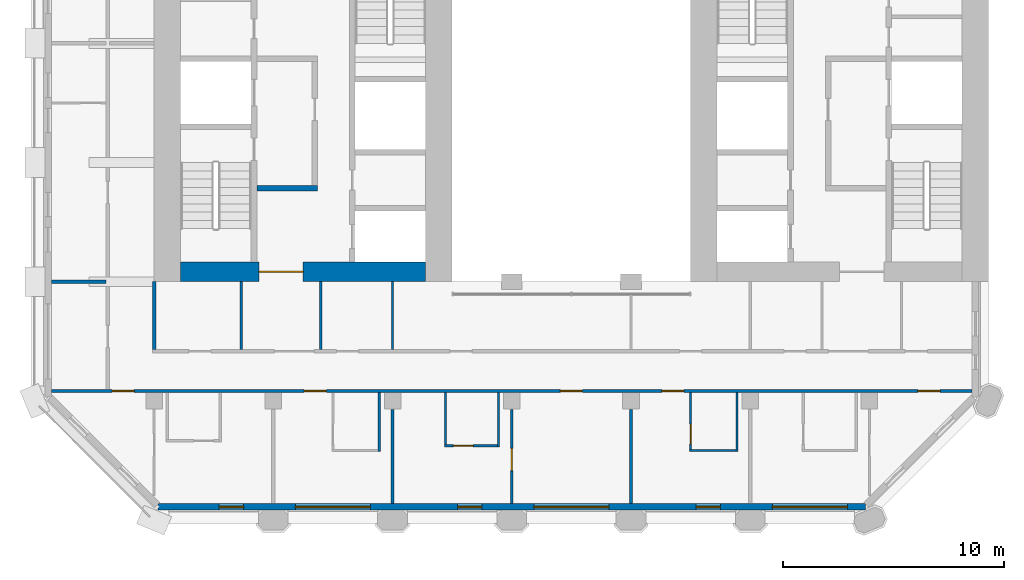
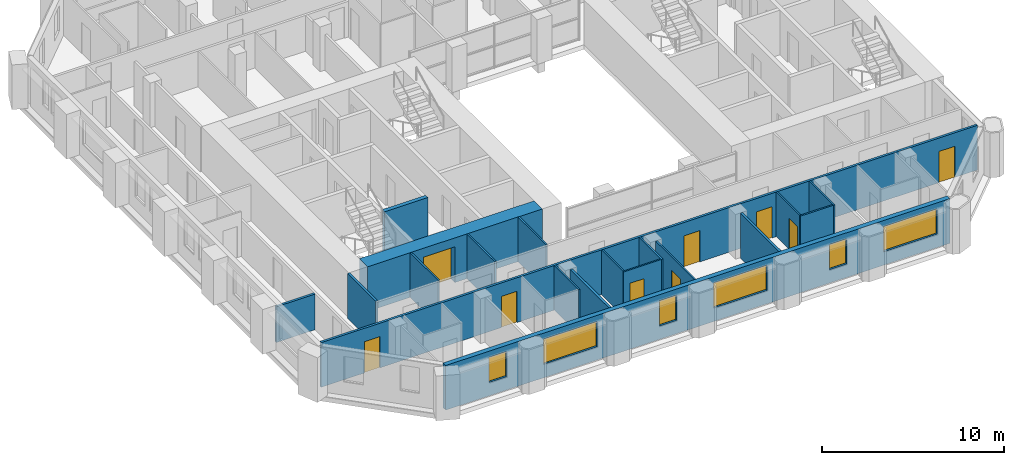
# One storey, part 6 of 14: 19 walls, 9 doors, 6 windows, 15 openings.
"""IFC4 building model written with IfcOpenShell, lengths in metres."""

import ifcopenshell
import ifcopenshell.guid

model = None  # the IFC model being written
_history = None  # IfcOwnerHistory: only IFC2X3 demands one
_inside = {}  # id of a spatial element -> (the spatial element, [elements in it])
_under = {}  # id of a project, library or spatial element -> (it, [spatial elements below it])
_declared = {}  # id of a project -> (the project, [libraries it declares])
_typed = {}  # id of a type object -> (the type object, [elements of that type])
_made_of = {}  # id of a material, layer set ... -> (it, [elements and type objects made of it])


def new_model(schema):
    """Start an empty IFC model of exactly this schema.

    Asked for "IFC4X3", IfcOpenShell would pick the latest addendum, in which some entities
    have other attributes; the version numbers below select the first issue.
    IFC2X3 requires an IfcOwnerHistory on every rooted entity: one is made here for all.
    """
    global model, _history
    if schema == "IFC4X3":
        model = ifcopenshell.file(schema_version=(4, 3, 0, 0))
    else:
        model = ifcopenshell.file(schema=schema)
    _inside.clear()
    _under.clear()
    _declared.clear()
    _typed.clear()
    _made_of.clear()
    _history = None
    if model.schema == "IFC2X3":
        org = make("IfcOrganization", Name="unknown")
        user = make(
            "IfcPersonAndOrganization",
            ThePerson=make("IfcPerson", FamilyName="unknown"),
            TheOrganization=org,
        )
        app = make(
            "IfcApplication",
            ApplicationDeveloper=org,
            Version="unknown",
            ApplicationFullName="unknown",
            ApplicationIdentifier="unknown",
        )
        _history = make(
            "IfcOwnerHistory",
            OwningUser=user,
            OwningApplication=app,
            ChangeAction="ADDED",
            CreationDate=0,
        )
    return model


def make(cls, **values):
    """One entity of the class cls with the attributes given. An attribute that is None is left unset."""
    return model.create_entity(
        cls, **{name: value for name, value in values.items() if value is not None}
    )


def rooted(cls, **values):
    """An entity with a GlobalId (a new one), such as an element, a storey or a relation."""
    return make(cls, GlobalId=ifcopenshell.guid.new(), OwnerHistory=_history, **values)


def si_unit(unit_type, name, prefix=None):
    """IfcSIUnit, for example si_unit("LENGTHUNIT", "METRE", prefix="MILLI")."""
    return make("IfcSIUnit", UnitType=unit_type, Prefix=prefix, Name=name)


def assignment(units):
    """IfcUnitAssignment: the units of a project."""
    return None if units is None else make("IfcUnitAssignment", Units=units)


def point(xyz):
    """IfcCartesianPoint."""
    return None if xyz is None else make("IfcCartesianPoint", Coordinates=xyz)


def direction(xyz):
    """IfcDirection."""
    return None if xyz is None else make("IfcDirection", DirectionRatios=xyz)


def frame(location, z_axis=None, x_axis=None):
    """IfcAxis2Placement3D, a coordinate frame: its origin and axes. An axis left out is left unset."""
    return make(
        "IfcAxis2Placement3D",
        Location=point(location),
        Axis=direction(z_axis),
        RefDirection=direction(x_axis),
    )


def frame_2d(location, x_axis=None):
    """IfcAxis2Placement2D, a coordinate frame in the plane: its origin and x axis."""
    return make(
        "IfcAxis2Placement2D", Location=point(location), RefDirection=direction(x_axis)
    )


def origin():
    """The frame at (0, 0, 0) with its axes left unset."""
    return frame((0.0, 0.0, 0.0))


def place(relative_to, where):
    """IfcLocalPlacement: puts the frame where relative to a parent placement (None: the world)."""
    return make(
        "IfcLocalPlacement", PlacementRelTo=relative_to, RelativePlacement=where
    )


def context(
    kind, dimensions, precision=None, world=None, true_north=None, identifier=None
):
    """IfcGeometricRepresentationContext, for example the 3D "Model" context."""
    return make(
        "IfcGeometricRepresentationContext",
        ContextIdentifier=identifier,
        ContextType=kind,
        CoordinateSpaceDimension=dimensions,
        Precision=precision,
        WorldCoordinateSystem=world,
        TrueNorth=true_north,
    )


def subcontext(parent, identifier, kind, view, scale=None):
    """IfcGeometricRepresentationSubContext, for example "Body" below "Model"."""
    return make(
        "IfcGeometricRepresentationSubContext",
        ContextIdentifier=identifier,
        ContextType=kind,
        ParentContext=parent,
        TargetScale=scale,
        TargetView=view,
    )


def project(units=None, contexts=None):
    """IfcProject with its units and contexts."""
    return rooted(
        "IfcProject",
        Name="project",
        RepresentationContexts=contexts,
        UnitsInContext=assignment(units),
    )


def spatial(cls, under=None, at=None, **own):
    """A site, building, storey or space (cls), placed at a placement, below another one or the project."""
    s = rooted(cls, ObjectPlacement=at, **own)
    if under is not None:
        _under.setdefault(under.id(), (under, []))[1].append(s)
    return s


def profile(cls, at=None, kind="AREA", **sizes):
    """A parametric profile (cls). Its sizes go by their IFC names, for example OverallWidth=200.0."""
    return make(cls, ProfileType=kind, Position=at, **sizes)


def rectangle(**sizes):
    """IfcRectangleProfileDef."""
    return profile("IfcRectangleProfileDef", **sizes)


def extrude(swept, where, along, depth):
    """IfcExtrudedAreaSolid: the profile swept, set in the frame where, extruded along a direction by depth."""
    return make(
        "IfcExtrudedAreaSolid",
        SweptArea=swept,
        Position=where,
        ExtrudedDirection=direction(along),
        Depth=depth,
    )


def shape(context_of_items, identifier, shape_type, items):
    """IfcShapeRepresentation: the items that make up one representation, for example the "Body"."""
    return make(
        "IfcShapeRepresentation",
        ContextOfItems=context_of_items,
        RepresentationIdentifier=identifier,
        RepresentationType=shape_type,
        Items=items,
    )


def material(Name=None, Category=None):
    """IfcMaterial."""
    return make("IfcMaterial", Name=Name, Category=Category)


def layer(
    of_material, thickness, ventilated=None, Name=None, Category=None, Priority=None
):
    """IfcMaterialLayer: one layer of a wall or slab, of a material (None: an air gap)."""
    return make(
        "IfcMaterialLayer",
        Material=of_material,
        LayerThickness=thickness,
        IsVentilated=ventilated,
        Name=Name,
        Category=Category,
        Priority=Priority,
    )


def layer_set(layers, Name=None):
    """IfcMaterialLayerSet."""
    return make("IfcMaterialLayerSet", MaterialLayers=layers, LayerSetName=Name)


def made_of(thing, what):
    """Note that an element or type object is made of a material, layer set ...; save() writes the relation."""
    if what is not None:
        _made_of.setdefault(what.id(), (what, []))[1].append(thing)
    return thing


def type_object(cls, material=None, **own):
    """A type object (cls), such as IfcWallType, which elements share."""
    return made_of(rooted(cls, **own), material)


def element(
    cls,
    number,
    at=None,
    inside=None,
    cuts=None,
    type_object=None,
    material=None,
    context=None,
    identifier="Body",
    shape_type=None,
    held_by="IfcProductDefinitionShape",
    body=None,
    shapes=None,
    **own,
):
    """One element of the class cls, such as IfcWall. Its Tag is "e" and its number.

    at: its placement. inside: the storey or other place that contains it. cuts: it is an
    opening in that element (IfcRelVoidsElement). A single representation is given by context,
    identifier, shape_type and body (its items); several are given by shapes. held_by: the class
    of the entity that holds the representations. save() writes the other relations.
    """
    e = rooted(cls, Tag="e%d" % number, ObjectPlacement=at, **own)
    if body is not None:
        shapes = [shape(context, identifier, shape_type, body)]
    if shapes is not None:
        e.Representation = make(held_by, Representations=shapes)
    if inside is not None:
        _inside.setdefault(inside.id(), (inside, []))[1].append(e)
    if cuts is not None:
        rooted(
            "IfcRelVoidsElement", RelatingBuildingElement=cuts, RelatedOpeningElement=e
        )
    if type_object is not None:
        _typed.setdefault(type_object.id(), (type_object, []))[1].append(e)
    return made_of(e, material)


def fill(opening, filler):
    """IfcRelFillsElement: the door or window that sits in an opening."""
    return rooted(
        "IfcRelFillsElement",
        RelatingOpeningElement=opening,
        RelatedBuildingElement=filler,
    )


def aggregate(whole, parts):
    """IfcRelAggregates: a whole, such as a stair, and the parts it consists of."""
    return rooted("IfcRelAggregates", RelatingObject=whole, RelatedObjects=parts)


def save(model, path):
    """Write the relations noted so far, then the file.

    IfcRelAggregates (storeys below a building ...), IfcRelContainedInSpatialStructure (elements
    in a storey), IfcRelDefinesByType, IfcRelAssociatesMaterial and IfcRelDeclares: one each for
    every whole, place, type object, material and project.
    """
    for whole, parts in _under.values():
        aggregate(whole, parts)
    for where, things in _inside.values():
        rooted(
            "IfcRelContainedInSpatialStructure",
            RelatedElements=things,
            RelatingStructure=where,
        )
    for kind, things in _typed.values():
        rooted("IfcRelDefinesByType", RelatedObjects=things, RelatingType=kind)
    for what, things in _made_of.values():
        rooted("IfcRelAssociatesMaterial", RelatedObjects=things, RelatingMaterial=what)
    for by, libraries in _declared.values():
        rooted("IfcRelDeclares", RelatingContext=by, RelatedDefinitions=libraries)
    model.write(path)


model = new_model("IFC4")

# Units and contexts
model_context = context("Model", 3, precision=1e-05, world=origin(), true_north=direction((0.0, 1.0)))
body_context = subcontext(model_context, "Body", "Model", "MODEL_VIEW")
ifc_project = project(units=[si_unit("LENGTHUNIT", "METRE"), si_unit("AREAUNIT", "SQUARE_METRE"), si_unit("VOLUMEUNIT", "CUBIC_METRE"), si_unit("PLANEANGLEUNIT", "RADIAN"), si_unit("MASSUNIT", "GRAM", prefix="KILO")], contexts=[model_context])

# Site, building, storey
site_placement = place(None, origin())
site = spatial("IfcSite", under=ifc_project, at=site_placement, CompositionType="ELEMENT")
building_placement = place(site_placement, origin())
building = spatial("IfcBuilding", under=site, at=building_placement, Name="Tabaq Tower and Sports Hall", CompositionType="ELEMENT")
storey_placement = place(building_placement, frame((0.0, 0.0, 223.60009765625)))
storey = spatial("IfcBuildingStorey", under=building, at=storey_placement, Name="L56", CompositionType="ELEMENT", Elevation=223.60009765625)

# Wall, opening, door
ifc_material_1 = material(Name="Concrete C50/60", Category="concrete")
ifc_layer_1 = layer(ifc_material_1, 0.89990234375)
ifc_layer_set_1 = layer_set([ifc_layer_1], Name="Core wall 900 Concrete C50/60")
wall_type_1 = type_object("IfcWallType", Name="Core wall 900 Concrete C50/60", PredefinedType="SOLIDWALL", material=ifc_layer_set_1)
wall_1_placement = place(storey_placement, frame((17.699951171875, 16.64990234375, 0.0), z_axis=(0.0, 0.0, 1.0), x_axis=(-1.0, 0.0, 0.0)))
wall_1 = element("IfcWall", 1, at=wall_1_placement, inside=storey, type_object=wall_type_1, Name="Core wall W L56", PredefinedType="SOLIDWALL", context=body_context, shape_type="SweptSolid", body=[
    extrude(rectangle(XDim=11.099853515625, YDim=0.89990234375, at=frame_2d((5.5498046875, 0.0))), origin(), (0.0, 0.0, 1.0), 3.0),
])
opening_1_placement = place(wall_1_placement, frame((5.550048828125, 0.0, 0.0)))
opening_1 = element("IfcOpeningElement", 2, at=opening_1_placement, cuts=wall_1, Name="Opening PD-WL56-01", PredefinedType="OPENING", context=body_context, shape_type="SweptSolid", body=[
    extrude(rectangle(XDim=2.0, YDim=2.39990234375, at=frame_2d((1.0, 1.199951171875))), frame((0.0, 0.449951171875, 0.0), z_axis=(0.0, -1.0, 0.0), x_axis=(1.0, 0.0, 0.0)), (0.0, 0.0, 1.0), 0.89990234375),
])
ifc_material_2 = material(Name="Steel fire door", Category="steel")
door_type_1 = type_object("IfcDoorType", Name="Core entrance door 2000", OperationType="DOUBLE_DOOR_SINGLE_SWING", PredefinedType="DOOR", material=ifc_material_2)
door_1_placement = place(opening_1_placement, origin())
door_1 = element("IfcDoor", 3, at=door_1_placement, inside=storey, type_object=door_type_1, Name="Core entrance south W L56", OperationType="DOUBLE_DOOR_SINGLE_SWING", OverallHeight=2.39990234375, OverallWidth=2.0, PredefinedType="DOOR", context=body_context, shape_type="SweptSolid", body=[
    extrude(rectangle(XDim=2.0, YDim=2.39990234375, at=frame_2d((1.0, 1.199951171875))), frame((0.0, 0.02490234375, 0.0), z_axis=(0.0, -1.0, 0.0), x_axis=(1.0, 0.0, 0.0)), (0.0, 0.0, 1.0), 0.050048828125),
])
fill(opening_1, door_1)

# Walls
ifc_material_3 = material(Name="Gypsum board on steel studs", Category="steel")
ifc_layer_2 = layer(ifc_material_3, 0.10009765625)
ifc_layer_set_2 = layer_set([ifc_layer_2], Name="Partition 100 Gypsum board")
wall_type_2 = type_object("IfcWallType", Name="Partition 100 Gypsum board", PredefinedType="PARTITIONING", material=ifc_layer_set_2)
wall_2_placement = place(storey_placement, frame((31.800048828125, 11.175048828125, 0.0), z_axis=(0.0, 0.0, 1.0), x_axis=(0.0, -1.0, 0.0)))
element("IfcWall", 4, at=wall_2_placement, inside=storey, type_object=wall_type_2, Name="Partition wall L56", PredefinedType="PARTITIONING", context=body_context, shape_type="SweptSolid", body=[
    extrude(rectangle(XDim=2.675048828125, YDim=0.10009765625, at=frame_2d((1.33740234375, 0.0))), origin(), (0.0, 0.0, 1.0), 3.0),
])
wall_3_placement = place(storey_placement, frame((31.75, 8.550048828125, 0.0), z_axis=(0.0, 0.0, 1.0), x_axis=(-1.0, 0.0, 0.0)))
element("IfcWall", 5, at=wall_3_placement, inside=storey, type_object=wall_type_2, Name="Partition wall L56", PredefinedType="PARTITIONING", context=body_context, shape_type="SweptSolid", body=[
    extrude(rectangle(XDim=2.10009765625, YDim=0.10009765625, at=frame_2d((1.050048828125, 0.0))), origin(), (0.0, 0.0, 1.0), 3.0),
])

# Wall, opening, door
wall_4_placement = place(storey_placement, frame((29.699951171875, 8.60009765625, 0.0), z_axis=(0.0, 0.0, 1.0), x_axis=(0.0, 1.0, 0.0)))
wall_4 = element("IfcWall", 6, at=wall_4_placement, inside=storey, type_object=wall_type_2, Name="Partition wall L56", PredefinedType="PARTITIONING", context=body_context, shape_type="SweptSolid", body=[
    extrude(rectangle(XDim=2.574951171875, YDim=0.10009765625, at=frame_2d((1.28759765625, 0.0))), origin(), (0.0, 0.0, 1.0), 3.0),
])
opening_2_placement = place(wall_4_placement, frame((0.25, 0.0, 0.0)))
opening_2 = element("IfcOpeningElement", 7, at=opening_2_placement, cuts=wall_4, Name="Opening L56-017", PredefinedType="OPENING", context=body_context, shape_type="SweptSolid", body=[
    extrude(rectangle(XDim=0.89990234375, YDim=2.10009765625, at=frame_2d((0.449951171875, 1.050048828125))), frame((0.0, 0.050048828125, 0.0), z_axis=(0.0, -1.0, 0.0), x_axis=(1.0, 0.0, 0.0)), (0.0, 0.0, 1.0), 0.10009765625),
])
ifc_material_4 = material(Name="Timber leaf in steel frame", Category="steel")
door_type_2 = type_object("IfcDoorType", Name="Internal door 900 right hand", OperationType="SINGLE_SWING_RIGHT", PredefinedType="DOOR", material=ifc_material_4)
door_2_placement = place(opening_2_placement, origin())
door_2 = element("IfcDoor", 8, at=door_2_placement, inside=storey, type_object=door_type_2, Name="Internal door L56-017", OperationType="SINGLE_SWING_RIGHT", OverallHeight=2.10009765625, OverallWidth=0.89990234375, PredefinedType="DOOR", context=body_context, shape_type="SweptSolid", body=[
    extrude(rectangle(XDim=0.89990234375, YDim=2.10009765625, at=frame_2d((0.449951171875, 1.050048828125))), frame((0.0, 0.02490234375, 0.0), z_axis=(0.0, -1.0, 0.0), x_axis=(1.0, 0.0, 0.0)), (0.0, 0.0, 1.0), 0.050048828125),
])
fill(opening_2, door_2)

wall_5_placement = place(storey_placement, frame((21.60009765625, 6.15087890625, 0.0), z_axis=(0.0, 0.0, 1.0), x_axis=(0.0, 1.0, 0.0)))
wall_5 = element("IfcWall", 9, at=wall_5_placement, inside=storey, type_object=wall_type_2, Name="Partition wall L56", PredefinedType="PARTITIONING", context=body_context, shape_type="SweptSolid", body=[
    extrude(rectangle(XDim=4.254150390625, YDim=0.10009765625, at=frame_2d((2.126953125, 0.0))), origin(), (0.0, 0.0, 1.0), 3.0),
])
opening_3_placement = place(wall_5_placement, frame((1.4970703125, 0.0, 0.0)))
opening_3 = element("IfcOpeningElement", 10, at=opening_3_placement, cuts=wall_5, Name="Opening L56-044", PredefinedType="OPENING", context=body_context, shape_type="SweptSolid", body=[
    extrude(rectangle(XDim=1.0, YDim=2.10009765625, at=frame_2d((0.5, 1.050048828125))), frame((0.0, 0.050048828125, 0.0), z_axis=(0.0, -1.0, 0.0), x_axis=(1.0, 0.0, 0.0)), (0.0, 0.0, 1.0), 0.10009765625),
])
ifc_material_5 = material(Name="Timber leaf in steel frame", Category="steel")
door_type_3 = type_object("IfcDoorType", Name="Internal door 1000 left hand", OperationType="SINGLE_SWING_LEFT", PredefinedType="DOOR", material=ifc_material_5)
door_3_placement = place(opening_3_placement, origin())
door_3 = element("IfcDoor", 11, at=door_3_placement, inside=storey, type_object=door_type_3, Name="Internal door L56-044", OperationType="SINGLE_SWING_LEFT", OverallHeight=2.10009765625, OverallWidth=1.0, PredefinedType="DOOR", context=body_context, shape_type="SweptSolid", body=[
    extrude(rectangle(XDim=1.0, YDim=2.10009765625, at=frame_2d((0.5, 1.050048828125))), frame((0.0, 0.02490234375, 0.0), z_axis=(0.0, -1.0, 0.0), x_axis=(1.0, 0.0, 0.0)), (0.0, 0.0, 1.0), 0.050048828125),
])
fill(opening_3, door_3)

# Wall
wall_6_placement = place(storey_placement, frame((21.0, 11.175048828125, 0.0), z_axis=(0.0, 0.0, 1.0), x_axis=(0.0, -1.0, 0.0)))
element("IfcWall", 12, at=wall_6_placement, inside=storey, type_object=wall_type_2, Name="Partition wall L56", PredefinedType="PARTITIONING", context=body_context, shape_type="SweptSolid", body=[
    extrude(rectangle(XDim=2.449951171875, YDim=0.10009765625, at=frame_2d((1.22509765625, 0.0))), origin(), (0.0, 0.0, 1.0), 3.0),
])

# Wall, opening, door
wall_7_placement = place(storey_placement, frame((20.949951171875, 8.77490234375, 0.0), z_axis=(0.0, 0.0, 1.0), x_axis=(-1.0, 0.0, 0.0)))
wall_7 = element("IfcWall", 13, at=wall_7_placement, inside=storey, type_object=wall_type_2, Name="Partition wall L56", PredefinedType="PARTITIONING", context=body_context, shape_type="SweptSolid", body=[
    extrude(rectangle(XDim=2.39990234375, YDim=0.10009765625, at=frame_2d((1.199951171875, 0.0))), origin(), (0.0, 0.0, 1.0), 3.0),
])
opening_4_placement = place(wall_7_placement, frame((1.10009765625, 0.0, 0.0)))
opening_4 = element("IfcOpeningElement", 14, at=opening_4_placement, cuts=wall_7, Name="Opening L56-018", PredefinedType="OPENING", context=body_context, shape_type="SweptSolid", body=[
    extrude(rectangle(XDim=0.89990234375, YDim=2.10009765625, at=frame_2d((0.449951171875, 1.050048828125))), frame((0.0, 0.050048828125, 0.0), z_axis=(0.0, -1.0, 0.0), x_axis=(1.0, 0.0, 0.0)), (0.0, 0.0, 1.0), 0.10009765625),
])
ifc_material_6 = material(Name="Timber leaf in steel frame", Category="steel")
door_type_4 = type_object("IfcDoorType", Name="Internal door 900 left hand", OperationType="SINGLE_SWING_LEFT", PredefinedType="DOOR", material=ifc_material_6)
door_4_placement = place(opening_4_placement, origin())
door_4 = element("IfcDoor", 15, at=door_4_placement, inside=storey, type_object=door_type_4, Name="Internal door L56-018", OperationType="SINGLE_SWING_LEFT", OverallHeight=2.10009765625, OverallWidth=0.89990234375, PredefinedType="DOOR", context=body_context, shape_type="SweptSolid", body=[
    extrude(rectangle(XDim=0.89990234375, YDim=2.10009765625, at=frame_2d((0.449951171875, 1.050048828125))), frame((0.0, 0.02490234375, 0.0), z_axis=(0.0, -1.0, 0.0), x_axis=(1.0, 0.0, 0.0)), (0.0, 0.0, 1.0), 0.050048828125),
])
fill(opening_4, door_4)

# Walls
wall_8_placement = place(storey_placement, frame((18.60009765625, 8.824951171875, 0.0), z_axis=(0.0, 0.0, 1.0), x_axis=(0.0, 1.0, 0.0)))
element("IfcWall", 16, at=wall_8_placement, inside=storey, type_object=wall_type_2, Name="Partition wall L56", PredefinedType="PARTITIONING", context=body_context, shape_type="SweptSolid", body=[
    extrude(rectangle(XDim=2.35009765625, YDim=0.10009765625, at=frame_2d((1.175048828125, 0.0))), origin(), (0.0, 0.0, 1.0), 3.0),
])
wall_9_placement = place(storey_placement, frame((15.60009765625, 11.175048828125, 0.0), z_axis=(0.0, 0.0, 1.0), x_axis=(0.0, -1.0, 0.0)))
element("IfcWall", 17, at=wall_9_placement, inside=storey, type_object=wall_type_2, Name="Partition wall L56", PredefinedType="PARTITIONING", context=body_context, shape_type="SweptSolid", body=[
    extrude(rectangle(XDim=2.675048828125, YDim=0.10009765625, at=frame_2d((1.33740234375, 0.0))), origin(), (0.0, 0.0, 1.0), 3.0),
])
for number, where, z_axis, x_axis, name in (
    (18, (16.199951171875, 16.199951171875, 0.0), (0.0, 0.0, 1.0), (0.0, -1.0, 0.0), "Partition wall L56"),
    (19, (12.949951171875, 13.125, 0.0), (0.0, 0.0, 1.0), (0.0, 1.0, 0.0), "Partition wall L56"),
    (20, (9.35009765625, 16.199951171875, 0.0), (0.0, 0.0, 1.0), (0.0, -1.0, 0.0), "Partition wall L56"),
):
    element("IfcWall", number, at=place(storey_placement, frame(where, z_axis=z_axis, x_axis=x_axis)), inside=storey, type_object=wall_type_2, Name=name, PredefinedType="PARTITIONING", context=body_context, shape_type="SweptSolid", body=[
        extrude(rectangle(XDim=3.074951171875, YDim=0.10009765625, at=frame_2d((1.53759765625, 0.0))), origin(), (0.0, 0.0, 1.0), 3.0),
    ])
ifc_material_7 = material(Name="Blockwork", Category="masonry")
ifc_layer_3 = layer(ifc_material_7, 0.14990234375)
ifc_layer_set_3 = layer_set([ifc_layer_3], Name="Separating wall 150 Blockwork")
wall_type_3 = type_object("IfcWallType", Name="Separating wall 150 Blockwork", PredefinedType="PARTITIONING", material=ifc_layer_set_3)
wall_10_placement = place(storey_placement, frame((3.22509765625, 16.199951171875, 0.0), z_axis=(0.0, 0.0, 1.0), x_axis=(-1.0, 0.0, 0.0)))
element("IfcWall", 21, at=wall_10_placement, inside=storey, type_object=wall_type_3, Name="Separating wall L56", PredefinedType="PARTITIONING", context=body_context, shape_type="SweptSolid", body=[
    extrude(rectangle(XDim=2.47412109375, YDim=0.14990234375, at=frame_2d((1.237060546875, 0.0))), origin(), (0.0, 0.0, 1.0), 2.39990234375),
])
for number, where, z_axis, x_axis, name in (
    (22, (27.0, 10.405029296875, 0.0), (0.0, 0.0, 1.0), (0.0, -1.0, 0.0), "Separating wall L56"),
    (23, (16.199951171875, 10.405029296875, 0.0), (0.0, 0.0, 1.0), (0.0, -1.0, 0.0), "Separating wall L56"),
):
    element("IfcWall", number, at=place(storey_placement, frame(where, z_axis=z_axis, x_axis=x_axis)), inside=storey, type_object=wall_type_3, Name=name, PredefinedType="PARTITIONING", context=body_context, shape_type="SweptSolid", body=[
        extrude(rectangle(XDim=4.254150390625, YDim=0.14990234375, at=frame_2d((2.126953125, 0.0))), origin(), (0.0, 0.0, 1.0), 3.0),
    ])

# Wall, openings, doors
wall_11_placement = place(storey_placement, frame((0.7509765625, 11.25, 0.0), z_axis=(0.0, 0.0, 1.0), x_axis=(1.0, 0.0, 0.0)))
wall_11 = element("IfcWall", 24, at=wall_11_placement, inside=storey, type_object=wall_type_3, Name="Separating wall L56", PredefinedType="PARTITIONING", context=body_context, shape_type="SweptSolid", body=[
    extrude(rectangle(XDim=41.697998046875, YDim=0.14990234375, at=frame_2d((20.84912109375, 0.0))), origin(), (0.0, 0.0, 1.0), 3.0),
])
opening_5_placement = place(wall_11_placement, frame((39.2490234375, 0.0, 0.0)))
opening_5 = element("IfcOpeningElement", 25, at=opening_5_placement, cuts=wall_11, Name="Opening L56-042", PredefinedType="OPENING", context=body_context, shape_type="SweptSolid", body=[
    extrude(rectangle(XDim=1.0, YDim=2.10009765625, at=frame_2d((0.5, 1.050048828125))), frame((0.0, 0.074951171875, 0.0), z_axis=(0.0, -1.0, 0.0), x_axis=(1.0, 0.0, 0.0)), (0.0, 0.0, 1.0), 0.14990234375),
])
opening_6_placement = place(wall_11_placement, frame((27.64892578125, 0.0, 0.0)))
opening_6 = element("IfcOpeningElement", 26, at=opening_6_placement, cuts=wall_11, Name="Opening L56-043", PredefinedType="OPENING", context=body_context, shape_type="SweptSolid", body=[
    extrude(rectangle(XDim=1.0, YDim=2.10009765625, at=frame_2d((0.5, 1.050048828125))), frame((0.0, 0.074951171875, 0.0), z_axis=(0.0, -1.0, 0.0), x_axis=(1.0, 0.0, 0.0)), (0.0, 0.0, 1.0), 0.14990234375),
])
opening_7_placement = place(wall_11_placement, frame((23.049072265625, 0.0, 0.0)))
opening_7 = element("IfcOpeningElement", 27, at=opening_7_placement, cuts=wall_11, Name="Opening L56-045", PredefinedType="OPENING", context=body_context, shape_type="SweptSolid", body=[
    extrude(rectangle(XDim=1.0, YDim=2.10009765625, at=frame_2d((0.5, 1.050048828125))), frame((0.0, 0.074951171875, 0.0), z_axis=(0.0, -1.0, 0.0), x_axis=(1.0, 0.0, 0.0)), (0.0, 0.0, 1.0), 0.14990234375),
])
opening_8_placement = place(wall_11_placement, frame((11.448974609375, 0.0, 0.0)))
opening_8 = element("IfcOpeningElement", 28, at=opening_8_placement, cuts=wall_11, Name="Opening L56-046", PredefinedType="OPENING", context=body_context, shape_type="SweptSolid", body=[
    extrude(rectangle(XDim=1.0, YDim=2.10009765625, at=frame_2d((0.5, 1.050048828125))), frame((0.0, 0.074951171875, 0.0), z_axis=(0.0, -1.0, 0.0), x_axis=(1.0, 0.0, 0.0)), (0.0, 0.0, 1.0), 0.14990234375),
])
opening_9_placement = place(wall_11_placement, frame((2.743896484375, 0.0, 0.0)))
opening_9 = element("IfcOpeningElement", 29, at=opening_9_placement, cuts=wall_11, Name="Opening L56-048", PredefinedType="OPENING", context=body_context, shape_type="SweptSolid", body=[
    extrude(rectangle(XDim=1.0, YDim=2.10009765625, at=frame_2d((0.5, 1.050048828125))), frame((0.0, 0.074951171875, 0.0), z_axis=(0.0, -1.0, 0.0), x_axis=(1.0, 0.0, 0.0)), (0.0, 0.0, 1.0), 0.14990234375),
])
ifc_material_8 = material(Name="Steel fire door", Category="steel")
door_type_5 = type_object("IfcDoorType", Name="Entrance door 1000 left hand", OperationType="SINGLE_SWING_LEFT", PredefinedType="DOOR", material=ifc_material_8)
door_5_placement = place(opening_5_placement, origin())
door_5 = element("IfcDoor", 30, at=door_5_placement, inside=storey, type_object=door_type_5, Name="Entrance door L56-042", OperationType="SINGLE_SWING_LEFT", OverallHeight=2.10009765625, OverallWidth=1.0, PredefinedType="DOOR", context=body_context, shape_type="SweptSolid", body=[
    extrude(rectangle(XDim=1.0, YDim=2.10009765625, at=frame_2d((0.5, 1.050048828125))), frame((0.0, 0.02490234375, 0.0), z_axis=(0.0, -1.0, 0.0), x_axis=(1.0, 0.0, 0.0)), (0.0, 0.0, 1.0), 0.050048828125),
])
fill(opening_5, door_5)
door_6_placement = place(opening_6_placement, origin())
door_6 = element("IfcDoor", 31, at=door_6_placement, inside=storey, type_object=door_type_5, Name="Entrance door L56-043", OperationType="SINGLE_SWING_LEFT", OverallHeight=2.10009765625, OverallWidth=1.0, PredefinedType="DOOR", context=body_context, shape_type="SweptSolid", body=[
    extrude(rectangle(XDim=1.0, YDim=2.10009765625, at=frame_2d((0.5, 1.050048828125))), frame((0.0, 0.02490234375, 0.0), z_axis=(0.0, -1.0, 0.0), x_axis=(1.0, 0.0, 0.0)), (0.0, 0.0, 1.0), 0.050048828125),
])
fill(opening_6, door_6)
door_7_placement = place(opening_9_placement, origin())
door_7 = element("IfcDoor", 32, at=door_7_placement, inside=storey, type_object=door_type_5, Name="Entrance door L56-048", OperationType="SINGLE_SWING_LEFT", OverallHeight=2.10009765625, OverallWidth=1.0, PredefinedType="DOOR", context=body_context, shape_type="SweptSolid", body=[
    extrude(rectangle(XDim=1.0, YDim=2.10009765625, at=frame_2d((0.5, 1.050048828125))), frame((0.0, 0.02490234375, 0.0), z_axis=(0.0, -1.0, 0.0), x_axis=(1.0, 0.0, 0.0)), (0.0, 0.0, 1.0), 0.050048828125),
])
fill(opening_9, door_7)
ifc_material_9 = material(Name="Steel fire door", Category="steel")
door_type_6 = type_object("IfcDoorType", Name="Entrance door 1000 right hand", OperationType="SINGLE_SWING_RIGHT", PredefinedType="DOOR", material=ifc_material_9)
door_8_placement = place(opening_7_placement, origin())
door_8 = element("IfcDoor", 33, at=door_8_placement, inside=storey, type_object=door_type_6, Name="Entrance door L56-045", OperationType="SINGLE_SWING_RIGHT", OverallHeight=2.10009765625, OverallWidth=1.0, PredefinedType="DOOR", context=body_context, shape_type="SweptSolid", body=[
    extrude(rectangle(XDim=1.0, YDim=2.10009765625, at=frame_2d((0.5, 1.050048828125))), frame((0.0, 0.02490234375, 0.0), z_axis=(0.0, -1.0, 0.0), x_axis=(1.0, 0.0, 0.0)), (0.0, 0.0, 1.0), 0.050048828125),
])
fill(opening_7, door_8)
door_9_placement = place(opening_8_placement, origin())
door_9 = element("IfcDoor", 34, at=door_9_placement, inside=storey, type_object=door_type_6, Name="Entrance door L56-046", OperationType="SINGLE_SWING_RIGHT", OverallHeight=2.10009765625, OverallWidth=1.0, PredefinedType="DOOR", context=body_context, shape_type="SweptSolid", body=[
    extrude(rectangle(XDim=1.0, YDim=2.10009765625, at=frame_2d((0.5, 1.050048828125))), frame((0.0, 0.02490234375, 0.0), z_axis=(0.0, -1.0, 0.0), x_axis=(1.0, 0.0, 0.0)), (0.0, 0.0, 1.0), 0.050048828125),
])
fill(opening_8, door_9)

# Walls
wall_12_placement = place(storey_placement, frame((5.39990234375, 13.125, 0.0), z_axis=(0.0, 0.0, 1.0), x_axis=(0.0, 1.0, 0.0)))
element("IfcWall", 35, at=wall_12_placement, inside=storey, type_object=wall_type_3, Name="Separating wall L56", PredefinedType="PARTITIONING", context=body_context, shape_type="SweptSolid", body=[
    extrude(rectangle(XDim=3.074951171875, YDim=0.14990234375, at=frame_2d((1.53759765625, 0.0))), origin(), (0.0, 0.0, 1.0), 3.0),
])
ifc_material_10 = material(Name="Concrete C40/50", Category="concrete")
ifc_layer_4 = layer(ifc_material_10, 0.25)
ifc_layer_set_4 = layer_set([ifc_layer_4], Name="Shaft and stair wall 250 Concrete C40/50")
wall_type_4 = type_object("IfcWallType", Name="Shaft and stair wall 250 Concrete C40/50", PredefinedType="SOLIDWALL", material=ifc_layer_set_4)
wall_13_placement = place(storey_placement, frame((10.050048828125, 20.425048828125, 0.0), z_axis=(0.0, 0.0, 1.0), x_axis=(1.0, 0.0, 0.0)))
element("IfcWall", 36, at=wall_13_placement, inside=storey, type_object=wall_type_4, Name="Fire-fighting lobby wall W L56", PredefinedType="SOLIDWALL", context=body_context, shape_type="SweptSolid", body=[
    extrude(rectangle(XDim=2.75, YDim=0.25, at=frame_2d((1.375, 0.0))), origin(), (0.0, 0.0, 1.0), 3.0),
])

# Wall, openings, windows
ifc_material_11 = material(Name="White precast concrete C60/75", Category="concrete")
ifc_layer_5 = layer(ifc_material_11, 0.300048828125)
ifc_layer_set_5 = layer_set([ifc_layer_5], Name="White precast concrete C60/75 external wall 300")
wall_type_5 = type_object("IfcWallType", Name="White precast concrete C60/75 external wall 300", PredefinedType="SOLIDWALL", material=ifc_layer_set_5)
wall_14_placement = place(storey_placement, frame((5.58642578125, 6.0, 0.0), z_axis=(0.0, 0.0, 1.0), x_axis=(1.0, 0.0, 0.0)))
wall_14 = element("IfcWall", 37, at=wall_14_placement, inside=storey, type_object=wall_type_5, Name="External Wall L56 S", PredefinedType="SOLIDWALL", context=body_context, shape_type="SweptSolid", body=[
    extrude(rectangle(XDim=32.027099609375, YDim=0.300048828125, at=frame_2d((16.013671875, 0.0))), origin(), (0.0, 0.0, 1.0), 3.0),
])
opening_10_placement = place(wall_14_placement, frame((2.763671875, 0.0, 0.89990234375)))
opening_10 = element("IfcOpeningElement", 38, at=opening_10_placement, cuts=wall_14, Name="Opening W1B", PredefinedType="OPENING", context=body_context, shape_type="SweptSolid", body=[
    extrude(rectangle(XDim=1.10009765625, YDim=1.699951171875, at=frame_2d((0.550048828125, 0.85009765625))), frame((0.0, 0.16015625, 0.0), z_axis=(0.0, -1.0, 0.0), x_axis=(1.0, 0.0, 0.0)), (0.0, 0.0, 1.0), 0.320068359375),
])
opening_11_placement = place(wall_14_placement, frame((6.213623046875, 0.0, 0.89990234375)))
opening_11 = element("IfcOpeningElement", 39, at=opening_11_placement, cuts=wall_14, Name="Opening W1A", PredefinedType="OPENING", context=body_context, shape_type="SweptSolid", body=[
    extrude(rectangle(XDim=3.39990234375, YDim=1.699951171875, at=frame_2d((1.699951171875, 0.85009765625))), frame((0.0, 0.16015625, 0.0), z_axis=(0.0, -1.0, 0.0), x_axis=(1.0, 0.0, 0.0)), (0.0, 0.0, 1.0), 0.320068359375),
])
opening_12_placement = place(wall_14_placement, frame((13.563720703125, 0.0, 0.89990234375)))
opening_12 = element("IfcOpeningElement", 40, at=opening_12_placement, cuts=wall_14, Name="Opening W1B", PredefinedType="OPENING", context=body_context, shape_type="SweptSolid", body=[
    extrude(rectangle(XDim=1.10009765625, YDim=1.699951171875, at=frame_2d((0.550048828125, 0.85009765625))), frame((0.0, 0.16015625, 0.0), z_axis=(0.0, -1.0, 0.0), x_axis=(1.0, 0.0, 0.0)), (0.0, 0.0, 1.0), 0.320068359375),
])
opening_13_placement = place(wall_14_placement, frame((17.013671875, 0.0, 0.89990234375)))
opening_13 = element("IfcOpeningElement", 41, at=opening_13_placement, cuts=wall_14, Name="Opening W1A", PredefinedType="OPENING", context=body_context, shape_type="SweptSolid", body=[
    extrude(rectangle(XDim=3.39990234375, YDim=1.699951171875, at=frame_2d((1.699951171875, 0.85009765625))), frame((0.0, 0.16015625, 0.0), z_axis=(0.0, -1.0, 0.0), x_axis=(1.0, 0.0, 0.0)), (0.0, 0.0, 1.0), 0.320068359375),
])
opening_14_placement = place(wall_14_placement, frame((24.363525390625, 0.0, 0.89990234375)))
opening_14 = element("IfcOpeningElement", 42, at=opening_14_placement, cuts=wall_14, Name="Opening W1B", PredefinedType="OPENING", context=body_context, shape_type="SweptSolid", body=[
    extrude(rectangle(XDim=1.10009765625, YDim=1.699951171875, at=frame_2d((0.550048828125, 0.85009765625))), frame((0.0, 0.16015625, 0.0), z_axis=(0.0, -1.0, 0.0), x_axis=(1.0, 0.0, 0.0)), (0.0, 0.0, 1.0), 0.320068359375),
])
opening_15_placement = place(wall_14_placement, frame((27.813720703125, 0.0, 0.89990234375)))
opening_15 = element("IfcOpeningElement", 43, at=opening_15_placement, cuts=wall_14, Name="Opening W1A", PredefinedType="OPENING", context=body_context, shape_type="SweptSolid", body=[
    extrude(rectangle(XDim=3.39990234375, YDim=1.699951171875, at=frame_2d((1.699951171875, 0.85009765625))), frame((0.0, 0.16015625, 0.0), z_axis=(0.0, -1.0, 0.0), x_axis=(1.0, 0.0, 0.0)), (0.0, 0.0, 1.0), 0.320068359375),
])
ifc_material_12 = material(Name="Aluminium framed clear glazing", Category="aluminium")
window_type_1 = type_object("IfcWindowType", Name="Window W1A", PartitioningType="SINGLE_PANEL", PredefinedType="WINDOW", material=ifc_material_12)
window_1_placement = place(opening_11_placement, origin())
window_1 = element("IfcWindow", 44, at=window_1_placement, inside=storey, type_object=window_type_1, Name="Window W1A L56", OverallHeight=1.699951171875, OverallWidth=3.39990234375, PartitioningType="SINGLE_PANEL", PredefinedType="WINDOW", context=body_context, shape_type="SweptSolid", body=[
    extrude(rectangle(XDim=3.39990234375, YDim=1.699951171875, at=frame_2d((1.699951171875, 0.85009765625))), frame((0.0, 0.030029296875, 0.0), z_axis=(0.0, -1.0, 0.0), x_axis=(1.0, 0.0, 0.0)), (0.0, 0.0, 1.0), 0.06005859375),
])
fill(opening_11, window_1)
window_2_placement = place(opening_13_placement, origin())
window_2 = element("IfcWindow", 45, at=window_2_placement, inside=storey, type_object=window_type_1, Name="Window W1A L56", OverallHeight=1.699951171875, OverallWidth=3.39990234375, PartitioningType="SINGLE_PANEL", PredefinedType="WINDOW", context=body_context, shape_type="SweptSolid", body=[
    extrude(rectangle(XDim=3.39990234375, YDim=1.699951171875, at=frame_2d((1.699951171875, 0.85009765625))), frame((0.0, 0.030029296875, 0.0), z_axis=(0.0, -1.0, 0.0), x_axis=(1.0, 0.0, 0.0)), (0.0, 0.0, 1.0), 0.06005859375),
])
fill(opening_13, window_2)
window_3_placement = place(opening_15_placement, origin())
window_3 = element("IfcWindow", 46, at=window_3_placement, inside=storey, type_object=window_type_1, Name="Window W1A L56", OverallHeight=1.699951171875, OverallWidth=3.39990234375, PartitioningType="SINGLE_PANEL", PredefinedType="WINDOW", context=body_context, shape_type="SweptSolid", body=[
    extrude(rectangle(XDim=3.39990234375, YDim=1.699951171875, at=frame_2d((1.699951171875, 0.85009765625))), frame((0.0, 0.030029296875, 0.0), z_axis=(0.0, -1.0, 0.0), x_axis=(1.0, 0.0, 0.0)), (0.0, 0.0, 1.0), 0.06005859375),
])
fill(opening_15, window_3)
ifc_material_13 = material(Name="Aluminium framed clear glazing", Category="aluminium")
window_type_2 = type_object("IfcWindowType", Name="Window W1B", PartitioningType="SINGLE_PANEL", PredefinedType="WINDOW", material=ifc_material_13)
window_4_placement = place(opening_10_placement, origin())
window_4 = element("IfcWindow", 47, at=window_4_placement, inside=storey, type_object=window_type_2, Name="Window W1B L56", OverallHeight=1.699951171875, OverallWidth=1.10009765625, PartitioningType="SINGLE_PANEL", PredefinedType="WINDOW", context=body_context, shape_type="SweptSolid", body=[
    extrude(rectangle(XDim=1.10009765625, YDim=1.699951171875, at=frame_2d((0.550048828125, 0.85009765625))), frame((0.0, 0.030029296875, 0.0), z_axis=(0.0, -1.0, 0.0), x_axis=(1.0, 0.0, 0.0)), (0.0, 0.0, 1.0), 0.06005859375),
])
fill(opening_10, window_4)
window_5_placement = place(opening_12_placement, origin())
window_5 = element("IfcWindow", 48, at=window_5_placement, inside=storey, type_object=window_type_2, Name="Window W1B L56", OverallHeight=1.699951171875, OverallWidth=1.10009765625, PartitioningType="SINGLE_PANEL", PredefinedType="WINDOW", context=body_context, shape_type="SweptSolid", body=[
    extrude(rectangle(XDim=1.10009765625, YDim=1.699951171875, at=frame_2d((0.550048828125, 0.85009765625))), frame((0.0, 0.030029296875, 0.0), z_axis=(0.0, -1.0, 0.0), x_axis=(1.0, 0.0, 0.0)), (0.0, 0.0, 1.0), 0.06005859375),
])
fill(opening_12, window_5)
window_6_placement = place(opening_14_placement, origin())
window_6 = element("IfcWindow", 49, at=window_6_placement, inside=storey, type_object=window_type_2, Name="Window W1B L56", OverallHeight=1.699951171875, OverallWidth=1.10009765625, PartitioningType="SINGLE_PANEL", PredefinedType="WINDOW", context=body_context, shape_type="SweptSolid", body=[
    extrude(rectangle(XDim=1.10009765625, YDim=1.699951171875, at=frame_2d((0.550048828125, 0.85009765625))), frame((0.0, 0.030029296875, 0.0), z_axis=(0.0, -1.0, 0.0), x_axis=(1.0, 0.0, 0.0)), (0.0, 0.0, 1.0), 0.06005859375),
])
fill(opening_14, window_6)

save(model, "model.ifc")
